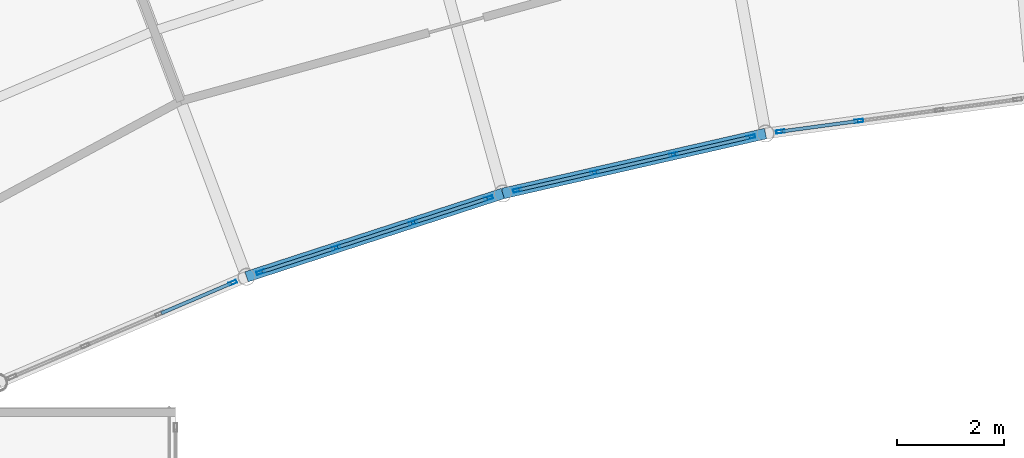
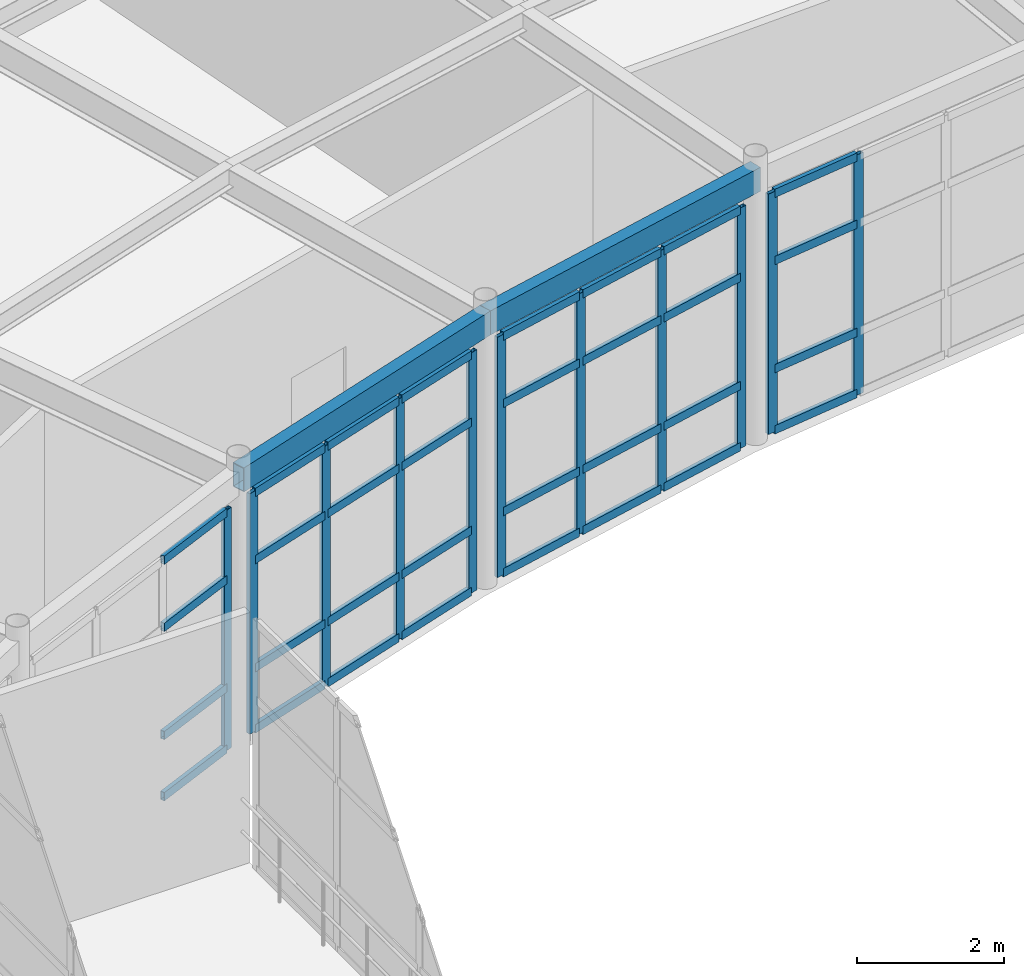
# One storey, part 70 of 116: 43 members, 2 beams, 4 elements without a shape of their own.
"""IFC4 building model written with IfcOpenShell, lengths in metres."""

import ifcopenshell
import ifcopenshell.guid

model = None  # the IFC model being written
_history = None  # IfcOwnerHistory: only IFC2X3 demands one
_inside = {}  # id of a spatial element -> (the spatial element, [elements in it])
_under = {}  # id of a project, library or spatial element -> (it, [spatial elements below it])
_declared = {}  # id of a project -> (the project, [libraries it declares])
_typed = {}  # id of a type object -> (the type object, [elements of that type])
_made_of = {}  # id of a material, layer set ... -> (it, [elements and type objects made of it])


def new_model(schema):
    """Start an empty IFC model of exactly this schema.

    Asked for "IFC4X3", IfcOpenShell would pick the latest addendum, in which some entities
    have other attributes; the version numbers below select the first issue.
    IFC2X3 requires an IfcOwnerHistory on every rooted entity: one is made here for all.
    """
    global model, _history
    if schema == "IFC4X3":
        model = ifcopenshell.file(schema_version=(4, 3, 0, 0))
    else:
        model = ifcopenshell.file(schema=schema)
    _inside.clear()
    _under.clear()
    _declared.clear()
    _typed.clear()
    _made_of.clear()
    _history = None
    if model.schema == "IFC2X3":
        org = make("IfcOrganization", Name="unknown")
        user = make(
            "IfcPersonAndOrganization",
            ThePerson=make("IfcPerson", FamilyName="unknown"),
            TheOrganization=org,
        )
        app = make(
            "IfcApplication",
            ApplicationDeveloper=org,
            Version="unknown",
            ApplicationFullName="unknown",
            ApplicationIdentifier="unknown",
        )
        _history = make(
            "IfcOwnerHistory",
            OwningUser=user,
            OwningApplication=app,
            ChangeAction="ADDED",
            CreationDate=0,
        )
    return model


def make(cls, **values):
    """One entity of the class cls with the attributes given. An attribute that is None is left unset."""
    return model.create_entity(
        cls, **{name: value for name, value in values.items() if value is not None}
    )


def rooted(cls, **values):
    """An entity with a GlobalId (a new one), such as an element, a storey or a relation."""
    return make(cls, GlobalId=ifcopenshell.guid.new(), OwnerHistory=_history, **values)


def si_unit(unit_type, name, prefix=None):
    """IfcSIUnit, for example si_unit("LENGTHUNIT", "METRE", prefix="MILLI")."""
    return make("IfcSIUnit", UnitType=unit_type, Prefix=prefix, Name=name)


def assignment(units):
    """IfcUnitAssignment: the units of a project."""
    return None if units is None else make("IfcUnitAssignment", Units=units)


def point(xyz):
    """IfcCartesianPoint."""
    return None if xyz is None else make("IfcCartesianPoint", Coordinates=xyz)


def direction(xyz):
    """IfcDirection."""
    return None if xyz is None else make("IfcDirection", DirectionRatios=xyz)


def frame(location, z_axis=None, x_axis=None):
    """IfcAxis2Placement3D, a coordinate frame: its origin and axes. An axis left out is left unset."""
    return make(
        "IfcAxis2Placement3D",
        Location=point(location),
        Axis=direction(z_axis),
        RefDirection=direction(x_axis),
    )


def frame_2d(location, x_axis=None):
    """IfcAxis2Placement2D, a coordinate frame in the plane: its origin and x axis."""
    return make(
        "IfcAxis2Placement2D", Location=point(location), RefDirection=direction(x_axis)
    )


def origin():
    """The frame at (0, 0, 0) with its axes left unset."""
    return frame((0.0, 0.0, 0.0))


def origin_2d():
    """The frame at (0, 0) in the plane with its x axis left unset."""
    return frame_2d((0.0, 0.0))


def place(relative_to, where):
    """IfcLocalPlacement: puts the frame where relative to a parent placement (None: the world)."""
    return make(
        "IfcLocalPlacement", PlacementRelTo=relative_to, RelativePlacement=where
    )


def context(
    kind, dimensions, precision=None, world=None, true_north=None, identifier=None
):
    """IfcGeometricRepresentationContext, for example the 3D "Model" context."""
    return make(
        "IfcGeometricRepresentationContext",
        ContextIdentifier=identifier,
        ContextType=kind,
        CoordinateSpaceDimension=dimensions,
        Precision=precision,
        WorldCoordinateSystem=world,
        TrueNorth=true_north,
    )


def subcontext(parent, identifier, kind, view, scale=None):
    """IfcGeometricRepresentationSubContext, for example "Body" below "Model"."""
    return make(
        "IfcGeometricRepresentationSubContext",
        ContextIdentifier=identifier,
        ContextType=kind,
        ParentContext=parent,
        TargetScale=scale,
        TargetView=view,
    )


def project(units=None, contexts=None):
    """IfcProject with its units and contexts."""
    return rooted(
        "IfcProject",
        Name="project",
        RepresentationContexts=contexts,
        UnitsInContext=assignment(units),
    )


def spatial(cls, under=None, at=None, **own):
    """A site, building, storey or space (cls), placed at a placement, below another one or the project."""
    s = rooted(cls, ObjectPlacement=at, **own)
    if under is not None:
        _under.setdefault(under.id(), (under, []))[1].append(s)
    return s


def profile(cls, at=None, kind="AREA", **sizes):
    """A parametric profile (cls). Its sizes go by their IFC names, for example OverallWidth=200.0."""
    return make(cls, ProfileType=kind, Position=at, **sizes)


def hollow_rectangle(**sizes):
    """IfcRectangleHollowProfileDef."""
    return profile("IfcRectangleHollowProfileDef", **sizes)


def extrude(swept, where, along, depth):
    """IfcExtrudedAreaSolid: the profile swept, set in the frame where, extruded along a direction by depth."""
    return make(
        "IfcExtrudedAreaSolid",
        SweptArea=swept,
        Position=where,
        ExtrudedDirection=direction(along),
        Depth=depth,
    )


def shape(context_of_items, identifier, shape_type, items):
    """IfcShapeRepresentation: the items that make up one representation, for example the "Body"."""
    return make(
        "IfcShapeRepresentation",
        ContextOfItems=context_of_items,
        RepresentationIdentifier=identifier,
        RepresentationType=shape_type,
        Items=items,
    )


def material(Name=None, Category=None):
    """IfcMaterial."""
    return make("IfcMaterial", Name=Name, Category=Category)


def layer(
    of_material, thickness, ventilated=None, Name=None, Category=None, Priority=None
):
    """IfcMaterialLayer: one layer of a wall or slab, of a material (None: an air gap)."""
    return make(
        "IfcMaterialLayer",
        Material=of_material,
        LayerThickness=thickness,
        IsVentilated=ventilated,
        Name=Name,
        Category=Category,
        Priority=Priority,
    )


def layer_set(layers, Name=None):
    """IfcMaterialLayerSet."""
    return make("IfcMaterialLayerSet", MaterialLayers=layers, LayerSetName=Name)


def material_profile(
    of_material, cross_section, Name=None, Category=None, Priority=None
):
    """IfcMaterialProfile: a cross section and its material."""
    return make(
        "IfcMaterialProfile",
        Name=Name,
        Material=of_material,
        Profile=cross_section,
        Priority=Priority,
        Category=Category,
    )


def profile_set(profiles, Name=None, composite=None):
    """IfcMaterialProfileSet."""
    return make(
        "IfcMaterialProfileSet",
        Name=Name,
        MaterialProfiles=profiles,
        CompositeProfile=composite,
    )


def made_of(thing, what):
    """Note that an element or type object is made of a material, layer set ...; save() writes the relation."""
    if what is not None:
        _made_of.setdefault(what.id(), (what, []))[1].append(thing)
    return thing


def type_object(cls, material=None, **own):
    """A type object (cls), such as IfcWallType, which elements share."""
    return made_of(rooted(cls, **own), material)


def element(
    cls,
    number,
    at=None,
    inside=None,
    cuts=None,
    type_object=None,
    material=None,
    context=None,
    identifier="Body",
    shape_type=None,
    held_by="IfcProductDefinitionShape",
    body=None,
    shapes=None,
    **own,
):
    """One element of the class cls, such as IfcWall. Its Tag is "e" and its number.

    at: its placement. inside: the storey or other place that contains it. cuts: it is an
    opening in that element (IfcRelVoidsElement). A single representation is given by context,
    identifier, shape_type and body (its items); several are given by shapes. held_by: the class
    of the entity that holds the representations. save() writes the other relations.
    """
    e = rooted(cls, Tag="e%d" % number, ObjectPlacement=at, **own)
    if body is not None:
        shapes = [shape(context, identifier, shape_type, body)]
    if shapes is not None:
        e.Representation = make(held_by, Representations=shapes)
    if inside is not None:
        _inside.setdefault(inside.id(), (inside, []))[1].append(e)
    if cuts is not None:
        rooted(
            "IfcRelVoidsElement", RelatingBuildingElement=cuts, RelatedOpeningElement=e
        )
    if type_object is not None:
        _typed.setdefault(type_object.id(), (type_object, []))[1].append(e)
    return made_of(e, material)


def aggregate(whole, parts):
    """IfcRelAggregates: a whole, such as a stair, and the parts it consists of."""
    return rooted("IfcRelAggregates", RelatingObject=whole, RelatedObjects=parts)


def save(model, path):
    """Write the relations noted so far, then the file.

    IfcRelAggregates (storeys below a building ...), IfcRelContainedInSpatialStructure (elements
    in a storey), IfcRelDefinesByType, IfcRelAssociatesMaterial and IfcRelDeclares: one each for
    every whole, place, type object, material and project.
    """
    for whole, parts in _under.values():
        aggregate(whole, parts)
    for where, things in _inside.values():
        rooted(
            "IfcRelContainedInSpatialStructure",
            RelatedElements=things,
            RelatingStructure=where,
        )
    for kind, things in _typed.values():
        rooted("IfcRelDefinesByType", RelatedObjects=things, RelatingType=kind)
    for what, things in _made_of.values():
        rooted("IfcRelAssociatesMaterial", RelatedObjects=things, RelatingMaterial=what)
    for by, libraries in _declared.values():
        rooted("IfcRelDeclares", RelatingContext=by, RelatedDefinitions=libraries)
    model.write(path)


model = new_model("IFC4")

# Units and contexts
model_context = context("Model", 3, precision=1e-05, world=origin(), true_north=direction((0.0, 1.0)))
body_context = subcontext(model_context, "Body", "Model", "MODEL_VIEW")
ifc_project = project(units=[si_unit("LENGTHUNIT", "METRE"), si_unit("AREAUNIT", "SQUARE_METRE"), si_unit("VOLUMEUNIT", "CUBIC_METRE"), si_unit("PLANEANGLEUNIT", "RADIAN"), si_unit("MASSUNIT", "GRAM", prefix="KILO")], contexts=[model_context])

# Site, building, storey
site_placement = place(None, origin())
site = spatial("IfcSite", under=ifc_project, at=site_placement, CompositionType="ELEMENT")
building_placement = place(site_placement, origin())
building = spatial("IfcBuilding", under=site, at=building_placement, Name="Selat Folded Stagehouse", CompositionType="ELEMENT")
storey_placement = place(building_placement, frame((0.0, 0.0, 5.39990234375)))
storey = spatial("IfcBuildingStorey", under=building, at=storey_placement, Name="L01", CompositionType="ELEMENT", Elevation=5.39990234375)

# Curtain wall, member
ifc_material_1 = material(Name="Aluminium 6063-T6", Category="aluminium")
ifc_layer = layer(ifc_material_1, 0.18994140625)
ifc_layer_set = layer_set([ifc_layer], Name="Aluminium 6063-T6")
curtain_wall_type = type_object("IfcCurtainWallType", Name="CW-REH-ARC", PredefinedType="NOTDEFINED", material=ifc_layer_set)
curtain_wall_1_placement = place(storey_placement, origin())
curtain_wall_1 = element("IfcCurtainWall", 1, at=curtain_wall_1_placement, inside=storey, type_object=curtain_wall_type, Name="L01 curtain wall CW-REH-L01-02", PredefinedType="NOTDEFINED")
ifc_material_profile_1 = material_profile(ifc_material_1, hollow_rectangle(XDim=0.06005859375, YDim=0.159912109375, WallThickness=0.00390625, at=origin_2d()), Name="ALU 160x60x4.0")
ifc_profile_set_1 = profile_set([ifc_material_profile_1], Name="Aluminium 6063-T6")
member_type_1 = type_object("IfcMemberType", Name="CWM-MUL-160x60", PredefinedType="MULLION", material=ifc_profile_set_1)
member_1_placement = place(storey_placement, frame((72.465576171875, 90.319091796875, 0.0), z_axis=(0.0, 0.0, 1.0), x_axis=(0.393012226483, -0.919533245639, 0.0)))
member_1 = element("IfcMember", 2, at=member_1_placement, type_object=member_type_1, Name="CW-06 mullion 1", PredefinedType="MULLION", context=body_context, shape_type="SweptSolid", body=[
    extrude(hollow_rectangle(XDim=0.06005859375, YDim=0.159912109375, WallThickness=0.00390625, at=origin_2d()), origin(), (0.0, 0.0, 1.0), 4.0),
])

# Curtain wall, members
curtain_wall_2_placement = place(storey_placement, origin())
curtain_wall_2 = element("IfcCurtainWall", 3, at=curtain_wall_2_placement, inside=storey, type_object=curtain_wall_type, Name="L01 curtain wall CW-REH-L01-03", PredefinedType="NOTDEFINED")
member_2_placement = place(storey_placement, frame((77.235595703125, 91.895263671875, 0.0), z_axis=(0.0, 0.0, 1.0), x_axis=(0.308991620714, -0.951064760323, 0.0)))
member_2 = element("IfcMember", 4, at=member_2_placement, type_object=member_type_1, Name="CW-06 mullion 1", PredefinedType="MULLION", context=body_context, shape_type="SweptSolid", body=[
    extrude(hollow_rectangle(XDim=0.06005859375, YDim=0.159912109375, WallThickness=0.00390625, at=origin_2d()), origin(), (0.0, 0.0, 1.0), 4.0),
])
member_3_placement = place(storey_placement, frame((75.82958984375, 91.4384765625, 0.0), z_axis=(0.0, 0.0, 1.0), x_axis=(0.308991620714, -0.951064760323, 0.0)))
member_3 = element("IfcMember", 5, at=member_3_placement, type_object=member_type_1, Name="CW-06 mullion 2", PredefinedType="MULLION", context=body_context, shape_type="SweptSolid", body=[
    extrude(hollow_rectangle(XDim=0.06005859375, YDim=0.159912109375, WallThickness=0.00390625, at=origin_2d()), origin(), (0.0, 0.0, 1.0), 4.0),
])
member_4_placement = place(storey_placement, frame((74.395263671875, 90.972412109375, 0.0), z_axis=(0.0, 0.0, 1.0), x_axis=(0.308991620714, -0.951064760323, 0.0)))
member_4 = element("IfcMember", 6, at=member_4_placement, type_object=member_type_1, Name="CW-06 mullion 3", PredefinedType="MULLION", context=body_context, shape_type="SweptSolid", body=[
    extrude(hollow_rectangle(XDim=0.06005859375, YDim=0.159912109375, WallThickness=0.00390625, at=origin_2d()), origin(), (0.0, 0.0, 1.0), 4.0),
])
member_5_placement = place(storey_placement, frame((72.9892578125, 90.515869140625, 0.0), z_axis=(0.0, 0.0, 1.0), x_axis=(0.308991620714, -0.951064760323, 0.0)))
member_5 = element("IfcMember", 7, at=member_5_placement, type_object=member_type_1, Name="CW-06 mullion 4", PredefinedType="MULLION", context=body_context, shape_type="SweptSolid", body=[
    extrude(hollow_rectangle(XDim=0.06005859375, YDim=0.159912109375, WallThickness=0.00390625, at=origin_2d()), origin(), (0.0, 0.0, 1.0), 4.0),
])

curtain_wall_3_placement = place(storey_placement, origin())
curtain_wall_3 = element("IfcCurtainWall", 8, at=curtain_wall_3_placement, inside=storey, type_object=curtain_wall_type, Name="L01 curtain wall CW-REH-L01-04", PredefinedType="NOTDEFINED")
member_6_placement = place(storey_placement, frame((82.1279296875, 93.037841796875, 0.0), z_axis=(0.0, 0.0, 1.0), x_axis=(0.222542761079, -0.974922930026, 0.0)))
member_6 = element("IfcMember", 9, at=member_6_placement, type_object=member_type_1, Name="CW-06 mullion 1", PredefinedType="MULLION", context=body_context, shape_type="SweptSolid", body=[
    extrude(hollow_rectangle(XDim=0.06005859375, YDim=0.159912109375, WallThickness=0.00390625, at=origin_2d()), origin(), (0.0, 0.0, 1.0), 4.0),
])
member_7_placement = place(storey_placement, frame((80.6865234375, 92.708740234375, 0.0), z_axis=(0.0, 0.0, 1.0), x_axis=(0.222542761079, -0.974922930026, 0.0)))
member_7 = element("IfcMember", 10, at=member_7_placement, type_object=member_type_1, Name="CW-06 mullion 2", PredefinedType="MULLION", context=body_context, shape_type="SweptSolid", body=[
    extrude(hollow_rectangle(XDim=0.06005859375, YDim=0.159912109375, WallThickness=0.00390625, at=origin_2d()), origin(), (0.0, 0.0, 1.0), 4.0),
])
member_8_placement = place(storey_placement, frame((79.216064453125, 92.373046875, 0.0), z_axis=(0.0, 0.0, 1.0), x_axis=(0.222542761079, -0.974922930026, 0.0)))
member_8 = element("IfcMember", 11, at=member_8_placement, type_object=member_type_1, Name="CW-06 mullion 3", PredefinedType="MULLION", context=body_context, shape_type="SweptSolid", body=[
    extrude(hollow_rectangle(XDim=0.06005859375, YDim=0.159912109375, WallThickness=0.00390625, at=origin_2d()), origin(), (0.0, 0.0, 1.0), 4.0),
])
member_9_placement = place(storey_placement, frame((77.77490234375, 92.044189453125, 0.0), z_axis=(0.0, 0.0, 1.0), x_axis=(0.222542761079, -0.974922930026, 0.0)))
member_9 = element("IfcMember", 12, at=member_9_placement, type_object=member_type_1, Name="CW-06 mullion 4", PredefinedType="MULLION", context=body_context, shape_type="SweptSolid", body=[
    extrude(hollow_rectangle(XDim=0.06005859375, YDim=0.159912109375, WallThickness=0.00390625, at=origin_2d()), origin(), (0.0, 0.0, 1.0), 4.0),
])

curtain_wall_4_placement = place(storey_placement, origin())
curtain_wall_4 = element("IfcCurtainWall", 13, at=curtain_wall_4_placement, inside=storey, type_object=curtain_wall_type, Name="L01 curtain wall CW-REH-L01-05", PredefinedType="NOTDEFINED")
member_10_placement = place(storey_placement, frame((84.14306640625, 93.336181640625, 0.0), z_axis=(0.0, 0.0, 1.0), x_axis=(0.134211766018, -0.990952673876, 0.0)))
member_10 = element("IfcMember", 14, at=member_10_placement, type_object=member_type_1, Name="CW-06 mullion 3", PredefinedType="MULLION", context=body_context, shape_type="SweptSolid", body=[
    extrude(hollow_rectangle(XDim=0.06005859375, YDim=0.159912109375, WallThickness=0.00390625, at=origin_2d()), origin(), (0.0, 0.0, 1.0), 4.0),
])
member_11_placement = place(storey_placement, frame((82.67822265625, 93.1376953125, 0.0), z_axis=(0.0, 0.0, 1.0), x_axis=(0.134211766018, -0.990952673876, 0.0)))
member_11 = element("IfcMember", 15, at=member_11_placement, type_object=member_type_1, Name="CW-06 mullion 4", PredefinedType="MULLION", context=body_context, shape_type="SweptSolid", body=[
    extrude(hollow_rectangle(XDim=0.06005859375, YDim=0.159912109375, WallThickness=0.00390625, at=origin_2d()), origin(), (0.0, 0.0, 1.0), 4.0),
])

# Member
ifc_material_profile_2 = material_profile(ifc_material_1, hollow_rectangle(XDim=0.06494140625, YDim=0.139892578125, WallThickness=0.00390625, at=origin_2d()), Name="ALU 140x65x4.0")
ifc_profile_set_2 = profile_set([ifc_material_profile_2], Name="Aluminium 6063-T6")
member_type_2 = type_object("IfcMemberType", Name="CWM-TRN-140x65", PredefinedType="USERDEFINED", material=ifc_profile_set_2)
member_12_placement = place(storey_placement, frame((72.43798828125, 90.307373046875, 0.03271484375), z_axis=(-0.919545213655, -0.392984223657, 0.0), x_axis=(0.392984223657, -0.919545213655, 0.0)))
member_12 = element("IfcMember", 16, at=member_12_placement, type_object=member_type_2, Name="CW-06 transom 1.1", ObjectType="TRANSOM", PredefinedType="USERDEFINED", context=body_context, shape_type="SweptSolid", body=[
    extrude(hollow_rectangle(XDim=0.06494140625, YDim=0.139892578125, WallThickness=0.00390625, at=origin_2d()), origin(), (0.0, 0.0, 1.0), 1.418212890625),
])

member_13_placement = place(storey_placement, frame((72.43798828125, 90.307373046875, 1.050048828125), z_axis=(-0.919545213655, -0.392984223657, 0.0), x_axis=(0.392984223657, -0.919545213655, 0.0)))
member_13 = element("IfcMember", 17, at=member_13_placement, type_object=member_type_2, Name="CW-06 transom 1.2", ObjectType="TRANSOM", PredefinedType="USERDEFINED", context=body_context, shape_type="SweptSolid", body=[
    extrude(hollow_rectangle(XDim=0.06494140625, YDim=0.139892578125, WallThickness=0.00390625, at=origin_2d()), origin(), (0.0, 0.0, 1.0), 1.418212890625),
])

member_14_placement = place(storey_placement, frame((72.43798828125, 90.307373046875, 2.85009765625), z_axis=(-0.919545213655, -0.392984223657, 0.0), x_axis=(0.392984223657, -0.919545213655, 0.0)))
member_14 = element("IfcMember", 18, at=member_14_placement, type_object=member_type_2, Name="CW-06 transom 1.3", ObjectType="TRANSOM", PredefinedType="USERDEFINED", context=body_context, shape_type="SweptSolid", body=[
    extrude(hollow_rectangle(XDim=0.06494140625, YDim=0.139892578125, WallThickness=0.00390625, at=origin_2d()), origin(), (0.0, 0.0, 1.0), 1.418212890625),
])

member_15_placement = place(storey_placement, frame((72.43798828125, 90.307373046875, 3.967529296875), z_axis=(-0.919545213655, -0.392984223657, 0.0), x_axis=(0.392984223657, -0.919545213655, 0.0)))
member_15 = element("IfcMember", 19, at=member_15_placement, type_object=member_type_2, Name="CW-06 transom 1.4", ObjectType="TRANSOM", PredefinedType="USERDEFINED", context=body_context, shape_type="SweptSolid", body=[
    extrude(hollow_rectangle(XDim=0.06494140625, YDim=0.139892578125, WallThickness=0.00390625, at=origin_2d()), origin(), (0.0, 0.0, 1.0), 1.418212890625),
])

aggregate(curtain_wall_1, [member_1, member_12, member_13, member_14, member_15])

member_16_placement = place(storey_placement, frame((77.20703125, 91.885986328125, 0.03271484375), z_axis=(-0.951065688988, -0.308988762305, 0.0), x_axis=(0.308988762305, -0.951065688988, 0.0)))
member_16 = element("IfcMember", 20, at=member_16_placement, type_object=member_type_2, Name="CW-06 transom 1.1", ObjectType="TRANSOM", PredefinedType="USERDEFINED", context=body_context, shape_type="SweptSolid", body=[
    extrude(hollow_rectangle(XDim=0.06494140625, YDim=0.139892578125, WallThickness=0.00390625, at=origin_2d()), origin(), (0.0, 0.0, 1.0), 1.418212890625),
])

member_17_placement = place(storey_placement, frame((77.20703125, 91.885986328125, 1.050048828125), z_axis=(-0.951065688988, -0.308988762305, 0.0), x_axis=(0.308988762305, -0.951065688988, 0.0)))
member_17 = element("IfcMember", 21, at=member_17_placement, type_object=member_type_2, Name="CW-06 transom 1.2", ObjectType="TRANSOM", PredefinedType="USERDEFINED", context=body_context, shape_type="SweptSolid", body=[
    extrude(hollow_rectangle(XDim=0.06494140625, YDim=0.139892578125, WallThickness=0.00390625, at=origin_2d()), origin(), (0.0, 0.0, 1.0), 1.418212890625),
])

member_18_placement = place(storey_placement, frame((77.20703125, 91.885986328125, 2.85009765625), z_axis=(-0.951065688988, -0.308988762305, 0.0), x_axis=(0.308988762305, -0.951065688988, 0.0)))
member_18 = element("IfcMember", 22, at=member_18_placement, type_object=member_type_2, Name="CW-06 transom 1.3", ObjectType="TRANSOM", PredefinedType="USERDEFINED", context=body_context, shape_type="SweptSolid", body=[
    extrude(hollow_rectangle(XDim=0.06494140625, YDim=0.139892578125, WallThickness=0.00390625, at=origin_2d()), origin(), (0.0, 0.0, 1.0), 1.418212890625),
])

member_19_placement = place(storey_placement, frame((77.20703125, 91.885986328125, 3.967529296875), z_axis=(-0.951065688988, -0.308988762305, 0.0), x_axis=(0.308988762305, -0.951065688988, 0.0)))
member_19 = element("IfcMember", 23, at=member_19_placement, type_object=member_type_2, Name="CW-06 transom 1.4", ObjectType="TRANSOM", PredefinedType="USERDEFINED", context=body_context, shape_type="SweptSolid", body=[
    extrude(hollow_rectangle(XDim=0.06494140625, YDim=0.139892578125, WallThickness=0.00390625, at=origin_2d()), origin(), (0.0, 0.0, 1.0), 1.418212890625),
])

member_20_placement = place(storey_placement, frame((75.801025390625, 91.42919921875, 0.03271484375), z_axis=(-0.951050174126, -0.309036512883, 0.0), x_axis=(0.309036512883, -0.951050174126, 0.0)))
member_20 = element("IfcMember", 24, at=member_20_placement, type_object=member_type_2, Name="CW-06 transom 2.1", ObjectType="TRANSOM", PredefinedType="USERDEFINED", context=body_context, shape_type="SweptSolid", body=[
    extrude(hollow_rectangle(XDim=0.06494140625, YDim=0.139892578125, WallThickness=0.00390625, at=origin_2d()), origin(), (0.0, 0.0, 1.0), 1.447998046875),
])

member_21_placement = place(storey_placement, frame((75.801025390625, 91.42919921875, 1.050048828125), z_axis=(-0.951050174126, -0.309036512883, 0.0), x_axis=(0.309036512883, -0.951050174126, 0.0)))
member_21 = element("IfcMember", 25, at=member_21_placement, type_object=member_type_2, Name="CW-06 transom 2.2", ObjectType="TRANSOM", PredefinedType="USERDEFINED", context=body_context, shape_type="SweptSolid", body=[
    extrude(hollow_rectangle(XDim=0.06494140625, YDim=0.139892578125, WallThickness=0.00390625, at=origin_2d()), origin(), (0.0, 0.0, 1.0), 1.447998046875),
])

member_22_placement = place(storey_placement, frame((75.801025390625, 91.42919921875, 2.85009765625), z_axis=(-0.951050174126, -0.309036512883, 0.0), x_axis=(0.309036512883, -0.951050174126, 0.0)))
member_22 = element("IfcMember", 26, at=member_22_placement, type_object=member_type_2, Name="CW-06 transom 2.3", ObjectType="TRANSOM", PredefinedType="USERDEFINED", context=body_context, shape_type="SweptSolid", body=[
    extrude(hollow_rectangle(XDim=0.06494140625, YDim=0.139892578125, WallThickness=0.00390625, at=origin_2d()), origin(), (0.0, 0.0, 1.0), 1.447998046875),
])

member_23_placement = place(storey_placement, frame((75.801025390625, 91.42919921875, 3.967529296875), z_axis=(-0.951050174126, -0.309036512883, 0.0), x_axis=(0.309036512883, -0.951050174126, 0.0)))
member_23 = element("IfcMember", 27, at=member_23_placement, type_object=member_type_2, Name="CW-06 transom 2.4", ObjectType="TRANSOM", PredefinedType="USERDEFINED", context=body_context, shape_type="SweptSolid", body=[
    extrude(hollow_rectangle(XDim=0.06494140625, YDim=0.139892578125, WallThickness=0.00390625, at=origin_2d()), origin(), (0.0, 0.0, 1.0), 1.447998046875),
])

member_24_placement = place(storey_placement, frame((74.36669921875, 90.96337890625, 0.03271484375), z_axis=(-0.951065688988, -0.308988762305, 0.0), x_axis=(0.308988762305, -0.951065688988, 0.0)))
member_24 = element("IfcMember", 28, at=member_24_placement, type_object=member_type_2, Name="CW-06 transom 3.1", ObjectType="TRANSOM", PredefinedType="USERDEFINED", context=body_context, shape_type="SweptSolid", body=[
    extrude(hollow_rectangle(XDim=0.06494140625, YDim=0.139892578125, WallThickness=0.00390625, at=origin_2d()), origin(), (0.0, 0.0, 1.0), 1.418212890625),
])

member_25_placement = place(storey_placement, frame((74.36669921875, 90.96337890625, 1.050048828125), z_axis=(-0.951065688988, -0.308988762305, 0.0), x_axis=(0.308988762305, -0.951065688988, 0.0)))
member_25 = element("IfcMember", 29, at=member_25_placement, type_object=member_type_2, Name="CW-06 transom 3.2", ObjectType="TRANSOM", PredefinedType="USERDEFINED", context=body_context, shape_type="SweptSolid", body=[
    extrude(hollow_rectangle(XDim=0.06494140625, YDim=0.139892578125, WallThickness=0.00390625, at=origin_2d()), origin(), (0.0, 0.0, 1.0), 1.418212890625),
])

member_26_placement = place(storey_placement, frame((74.36669921875, 90.96337890625, 2.85009765625), z_axis=(-0.951065688988, -0.308988762305, 0.0), x_axis=(0.308988762305, -0.951065688988, 0.0)))
member_26 = element("IfcMember", 30, at=member_26_placement, type_object=member_type_2, Name="CW-06 transom 3.3", ObjectType="TRANSOM", PredefinedType="USERDEFINED", context=body_context, shape_type="SweptSolid", body=[
    extrude(hollow_rectangle(XDim=0.06494140625, YDim=0.139892578125, WallThickness=0.00390625, at=origin_2d()), origin(), (0.0, 0.0, 1.0), 1.418212890625),
])

member_27_placement = place(storey_placement, frame((74.36669921875, 90.96337890625, 3.967529296875), z_axis=(-0.951065688988, -0.308988762305, 0.0), x_axis=(0.308988762305, -0.951065688988, 0.0)))
member_27 = element("IfcMember", 31, at=member_27_placement, type_object=member_type_2, Name="CW-06 transom 3.4", ObjectType="TRANSOM", PredefinedType="USERDEFINED", context=body_context, shape_type="SweptSolid", body=[
    extrude(hollow_rectangle(XDim=0.06494140625, YDim=0.139892578125, WallThickness=0.00390625, at=origin_2d()), origin(), (0.0, 0.0, 1.0), 1.418212890625),
])

aggregate(curtain_wall_2, [member_2, member_3, member_4, member_5, member_16, member_17, member_18, member_19, member_20, member_21, member_22, member_23, member_24, member_25, member_26, member_27])

member_28_placement = place(storey_placement, frame((82.0986328125, 93.03125, 0.03271484375), z_axis=(-0.974919361771, -0.222558392438, 0.0), x_axis=(0.222558392438, -0.974919361771, 0.0)))
member_28 = element("IfcMember", 32, at=member_28_placement, type_object=member_type_2, Name="CW-06 transom 1.1", ObjectType="TRANSOM", PredefinedType="USERDEFINED", context=body_context, shape_type="SweptSolid", body=[
    extrude(hollow_rectangle(XDim=0.06494140625, YDim=0.139892578125, WallThickness=0.00390625, at=origin_2d()), origin(), (0.0, 0.0, 1.0), 1.41845703125),
])

member_29_placement = place(storey_placement, frame((82.0986328125, 93.03125, 1.050048828125), z_axis=(-0.974919361771, -0.222558392438, 0.0), x_axis=(0.222558392438, -0.974919361771, 0.0)))
member_29 = element("IfcMember", 33, at=member_29_placement, type_object=member_type_2, Name="CW-06 transom 1.2", ObjectType="TRANSOM", PredefinedType="USERDEFINED", context=body_context, shape_type="SweptSolid", body=[
    extrude(hollow_rectangle(XDim=0.06494140625, YDim=0.139892578125, WallThickness=0.00390625, at=origin_2d()), origin(), (0.0, 0.0, 1.0), 1.41845703125),
])

member_30_placement = place(storey_placement, frame((82.0986328125, 93.03125, 2.85009765625), z_axis=(-0.974919361771, -0.222558392438, 0.0), x_axis=(0.222558392438, -0.974919361771, 0.0)))
member_30 = element("IfcMember", 34, at=member_30_placement, type_object=member_type_2, Name="CW-06 transom 1.3", ObjectType="TRANSOM", PredefinedType="USERDEFINED", context=body_context, shape_type="SweptSolid", body=[
    extrude(hollow_rectangle(XDim=0.06494140625, YDim=0.139892578125, WallThickness=0.00390625, at=origin_2d()), origin(), (0.0, 0.0, 1.0), 1.41845703125),
])

member_31_placement = place(storey_placement, frame((82.0986328125, 93.03125, 3.967529296875), z_axis=(-0.974919361771, -0.222558392438, 0.0), x_axis=(0.222558392438, -0.974919361771, 0.0)))
member_31 = element("IfcMember", 35, at=member_31_placement, type_object=member_type_2, Name="CW-06 transom 1.4", ObjectType="TRANSOM", PredefinedType="USERDEFINED", context=body_context, shape_type="SweptSolid", body=[
    extrude(hollow_rectangle(XDim=0.06494140625, YDim=0.139892578125, WallThickness=0.00390625, at=origin_2d()), origin(), (0.0, 0.0, 1.0), 1.41845703125),
])

member_32_placement = place(storey_placement, frame((80.657470703125, 92.7021484375, 0.03271484375), z_axis=(-0.974933771932, -0.222495259155, 0.0), x_axis=(0.222495259155, -0.974933771932, 0.0)))
member_32 = element("IfcMember", 36, at=member_32_placement, type_object=member_type_2, Name="CW-06 transom 2.1", ObjectType="TRANSOM", PredefinedType="USERDEFINED", context=body_context, shape_type="SweptSolid", body=[
    extrude(hollow_rectangle(XDim=0.06494140625, YDim=0.139892578125, WallThickness=0.00390625, at=origin_2d()), origin(), (0.0, 0.0, 1.0), 1.448486328125),
])

member_33_placement = place(storey_placement, frame((80.657470703125, 92.7021484375, 1.050048828125), z_axis=(-0.974933771932, -0.222495259155, 0.0), x_axis=(0.222495259155, -0.974933771932, 0.0)))
member_33 = element("IfcMember", 37, at=member_33_placement, type_object=member_type_2, Name="CW-06 transom 2.2", ObjectType="TRANSOM", PredefinedType="USERDEFINED", context=body_context, shape_type="SweptSolid", body=[
    extrude(hollow_rectangle(XDim=0.06494140625, YDim=0.139892578125, WallThickness=0.00390625, at=origin_2d()), origin(), (0.0, 0.0, 1.0), 1.448486328125),
])

member_34_placement = place(storey_placement, frame((80.657470703125, 92.7021484375, 2.85009765625), z_axis=(-0.974933771932, -0.222495259155, 0.0), x_axis=(0.222495259155, -0.974933771932, 0.0)))
member_34 = element("IfcMember", 38, at=member_34_placement, type_object=member_type_2, Name="CW-06 transom 2.3", ObjectType="TRANSOM", PredefinedType="USERDEFINED", context=body_context, shape_type="SweptSolid", body=[
    extrude(hollow_rectangle(XDim=0.06494140625, YDim=0.139892578125, WallThickness=0.00390625, at=origin_2d()), origin(), (0.0, 0.0, 1.0), 1.448486328125),
])

member_35_placement = place(storey_placement, frame((80.657470703125, 92.7021484375, 3.967529296875), z_axis=(-0.974933771932, -0.222495259155, 0.0), x_axis=(0.222495259155, -0.974933771932, 0.0)))
member_35 = element("IfcMember", 39, at=member_35_placement, type_object=member_type_2, Name="CW-06 transom 2.4", ObjectType="TRANSOM", PredefinedType="USERDEFINED", context=body_context, shape_type="SweptSolid", body=[
    extrude(hollow_rectangle(XDim=0.06494140625, YDim=0.139892578125, WallThickness=0.00390625, at=origin_2d()), origin(), (0.0, 0.0, 1.0), 1.448486328125),
])

member_36_placement = place(storey_placement, frame((79.186767578125, 92.366455078125, 0.03271484375), z_axis=(-0.974910833858, -0.222595745749, 0.0), x_axis=(0.222595745749, -0.974910833858, 0.0)))
member_36 = element("IfcMember", 40, at=member_36_placement, type_object=member_type_2, Name="CW-06 transom 3.1", ObjectType="TRANSOM", PredefinedType="USERDEFINED", context=body_context, shape_type="SweptSolid", body=[
    extrude(hollow_rectangle(XDim=0.06494140625, YDim=0.139892578125, WallThickness=0.00390625, at=origin_2d()), origin(), (0.0, 0.0, 1.0), 1.418212890625),
])

member_37_placement = place(storey_placement, frame((79.186767578125, 92.366455078125, 1.050048828125), z_axis=(-0.974910833858, -0.222595745749, 0.0), x_axis=(0.222595745749, -0.974910833858, 0.0)))
member_37 = element("IfcMember", 41, at=member_37_placement, type_object=member_type_2, Name="CW-06 transom 3.2", ObjectType="TRANSOM", PredefinedType="USERDEFINED", context=body_context, shape_type="SweptSolid", body=[
    extrude(hollow_rectangle(XDim=0.06494140625, YDim=0.139892578125, WallThickness=0.00390625, at=origin_2d()), origin(), (0.0, 0.0, 1.0), 1.418212890625),
])

member_38_placement = place(storey_placement, frame((79.186767578125, 92.366455078125, 2.85009765625), z_axis=(-0.974910833858, -0.222595745749, 0.0), x_axis=(0.222595745749, -0.974910833858, 0.0)))
member_38 = element("IfcMember", 42, at=member_38_placement, type_object=member_type_2, Name="CW-06 transom 3.3", ObjectType="TRANSOM", PredefinedType="USERDEFINED", context=body_context, shape_type="SweptSolid", body=[
    extrude(hollow_rectangle(XDim=0.06494140625, YDim=0.139892578125, WallThickness=0.00390625, at=origin_2d()), origin(), (0.0, 0.0, 1.0), 1.418212890625),
])

member_39_placement = place(storey_placement, frame((79.186767578125, 92.366455078125, 3.967529296875), z_axis=(-0.974910833858, -0.222595745749, 0.0), x_axis=(0.222595745749, -0.974910833858, 0.0)))
member_39 = element("IfcMember", 43, at=member_39_placement, type_object=member_type_2, Name="CW-06 transom 3.4", ObjectType="TRANSOM", PredefinedType="USERDEFINED", context=body_context, shape_type="SweptSolid", body=[
    extrude(hollow_rectangle(XDim=0.06494140625, YDim=0.139892578125, WallThickness=0.00390625, at=origin_2d()), origin(), (0.0, 0.0, 1.0), 1.418212890625),
])

aggregate(curtain_wall_3, [member_6, member_7, member_8, member_9, member_28, member_29, member_30, member_31, member_32, member_33, member_34, member_35, member_36, member_37, member_38, member_39])

member_40_placement = place(storey_placement, frame((84.113525390625, 93.33203125, 0.03271484375), z_axis=(-0.990968953763, -0.134091508595, 0.0), x_axis=(0.134091508595, -0.990968953763, 0.0)))
member_40 = element("IfcMember", 44, at=member_40_placement, type_object=member_type_2, Name="CW-06 transom 3.1", ObjectType="TRANSOM", PredefinedType="USERDEFINED", context=body_context, shape_type="SweptSolid", body=[
    extrude(hollow_rectangle(XDim=0.06494140625, YDim=0.139892578125, WallThickness=0.00390625, at=origin_2d()), origin(), (0.0, 0.0, 1.0), 1.418212890625),
])

member_41_placement = place(storey_placement, frame((84.113525390625, 93.33203125, 1.050048828125), z_axis=(-0.990968953763, -0.134091508595, 0.0), x_axis=(0.134091508595, -0.990968953763, 0.0)))
member_41 = element("IfcMember", 45, at=member_41_placement, type_object=member_type_2, Name="CW-06 transom 3.2", ObjectType="TRANSOM", PredefinedType="USERDEFINED", context=body_context, shape_type="SweptSolid", body=[
    extrude(hollow_rectangle(XDim=0.06494140625, YDim=0.139892578125, WallThickness=0.00390625, at=origin_2d()), origin(), (0.0, 0.0, 1.0), 1.418212890625),
])

member_42_placement = place(storey_placement, frame((84.113525390625, 93.33203125, 2.85009765625), z_axis=(-0.990968953763, -0.134091508595, 0.0), x_axis=(0.134091508595, -0.990968953763, 0.0)))
member_42 = element("IfcMember", 46, at=member_42_placement, type_object=member_type_2, Name="CW-06 transom 3.3", ObjectType="TRANSOM", PredefinedType="USERDEFINED", context=body_context, shape_type="SweptSolid", body=[
    extrude(hollow_rectangle(XDim=0.06494140625, YDim=0.139892578125, WallThickness=0.00390625, at=origin_2d()), origin(), (0.0, 0.0, 1.0), 1.418212890625),
])

member_43_placement = place(storey_placement, frame((84.113525390625, 93.33203125, 3.967529296875), z_axis=(-0.990968953763, -0.134091508595, 0.0), x_axis=(0.134091508595, -0.990968953763, 0.0)))
member_43 = element("IfcMember", 47, at=member_43_placement, type_object=member_type_2, Name="CW-06 transom 3.4", ObjectType="TRANSOM", PredefinedType="USERDEFINED", context=body_context, shape_type="SweptSolid", body=[
    extrude(hollow_rectangle(XDim=0.06494140625, YDim=0.139892578125, WallThickness=0.00390625, at=origin_2d()), origin(), (0.0, 0.0, 1.0), 1.418212890625),
])

aggregate(curtain_wall_4, [member_10, member_11, member_40, member_41, member_42, member_43])

# Beams
ifc_material_2 = material(Name="Steel S355", Category="steel")
ifc_material_profile_3 = material_profile(ifc_material_2, hollow_rectangle(XDim=0.199951171875, YDim=0.39990234375, WallThickness=0.012451171875, at=origin_2d()), Name="RHS 400x200x12.5")
ifc_profile_set_3 = profile_set([ifc_material_profile_3], Name="Steel S355")
beam_type = type_object("IfcBeamType", Name="SPD-EXT-400x200", PredefinedType="SPANDREL", material=ifc_profile_set_3)
for number, where, z_axis, x_axis, name in (
    (48, (72.722900390625, 90.42919921875, 4.3701171875), (0.951060843481, 0.309003676349, 0.0), (-0.309003676349, 0.951060843481, 0.0), "L01 inner curved rehearsal spandrel 4"),
    (49, (77.501953125, 91.98193359375, 4.3701171875), (0.974927211846, 0.222524002305, 0.0), (-0.222524002305, 0.974927211846, 0.0), "L01 inner curved rehearsal spandrel 5"),
):
    element("IfcBeam", number, at=place(storey_placement, frame(where, z_axis=z_axis, x_axis=x_axis)), inside=storey, type_object=beam_type, Name=name, PredefinedType="SPANDREL", context=body_context, shape_type="SweptSolid", body=[
        extrude(hollow_rectangle(XDim=0.199951171875, YDim=0.39990234375, WallThickness=0.012451171875, at=origin_2d()), origin(), (0.0, 0.0, 1.0), 5.02490234375),
    ])

save(model, "model.ifc")
